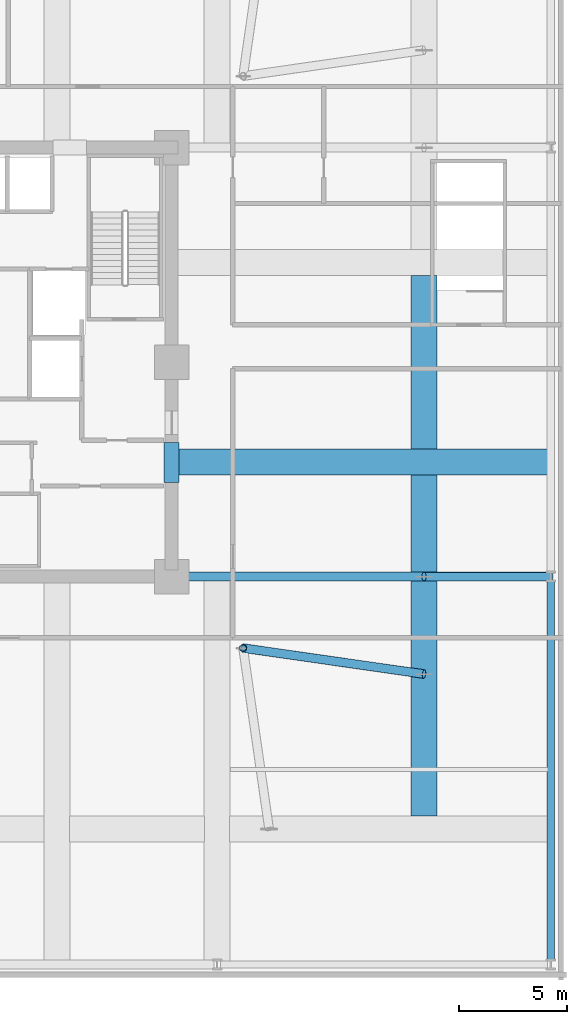
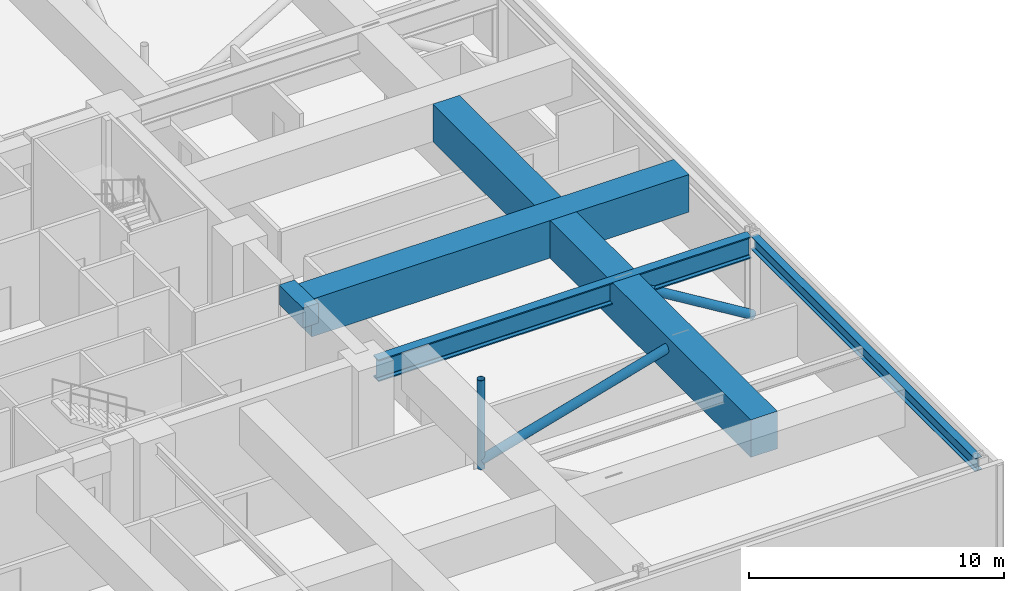
# One storey, part 4 of 16: 6 beams, 3 members.
"""IFC4 building model written with IfcOpenShell, lengths in metres."""

from ifc_helpers import new_model, si_unit, direction, frame, origin, origin_2d, place, context, subcontext, project, spatial, rectangle, hollow_circle, i_section, extrude, material, material_profile, profile_set, type_object, element, save


model = new_model("IFC4")

# Units and contexts
model_context = context("Model", 3, precision=1e-05, world=origin(), true_north=direction((0.0, 1.0)))
body_context = subcontext(model_context, "Body", "Model", "MODEL_VIEW")
ifc_project = project(units=[si_unit("LENGTHUNIT", "METRE"), si_unit("AREAUNIT", "SQUARE_METRE"), si_unit("VOLUMEUNIT", "CUBIC_METRE"), si_unit("PLANEANGLEUNIT", "RADIAN"), si_unit("MASSUNIT", "GRAM", prefix="KILO")], contexts=[model_context])

# Site, building, storey
site_placement = place(None, origin())
site = spatial("IfcSite", under=ifc_project, at=site_placement, CompositionType="ELEMENT")
building_placement = place(site_placement, origin())
building = spatial("IfcBuilding", under=site, at=building_placement, Name="Kolvaren Belvedere", CompositionType="ELEMENT")
storey_placement = place(building_placement, frame((0.0, 0.0, 19.300048828125)))
storey = spatial("IfcBuildingStorey", under=building, at=storey_placement, Name="L05", CompositionType="ELEMENT", Elevation=19.300048828125)

# Beams
ifc_material_1 = material(Name="Concrete C60/75", Category="concrete")
ifc_material_profile_1 = material_profile(ifc_material_1, rectangle(XDim=0.699951171875, YDim=0.949951171875, at=origin_2d()), Name="RC 700X950")
ifc_profile_set_1 = profile_set([ifc_material_profile_1], Name="Concrete C60/75")
beam_type_1 = type_object("IfcBeamType", Name="BM-LINT-950", PredefinedType="LINTEL", material=ifc_profile_set_1)
beam_1_placement = place(storey_placement, frame((9.89990234375, -5.550048828125, 3.784912109375), z_axis=(0.0, 1.0, 0.0), x_axis=(-1.0, 0.0, 0.0)))
element("IfcBeam", 1, at=beam_1_placement, inside=storey, type_object=beam_type_1, Name="L05 East Core Coupling Lintel", PredefinedType="LINTEL", context=body_context, shape_type="SweptSolid", body=[
    extrude(rectangle(XDim=0.699951171875, YDim=0.949951171875, at=origin_2d()), origin(), (0.0, 0.0, 1.0), 1.85009765625),
])
ifc_material_2 = material(Name="Structural steel ASTM A992 Grade 50", Category="steel")
ifc_material_profile_2 = material_profile(ifc_material_2, i_section(OverallWidth=0.324951171875, OverallDepth=0.615966796875, WebThickness=0.013916015625, FlangeThickness=0.021484375, FilletRadius=0.02001953125, at=origin_2d()), Name="W24X117")
ifc_profile_set_2 = profile_set([ifc_material_profile_2], Name="Structural steel ASTM A992 Grade 50")
beam_type_2 = type_object("IfcBeamType", Name="BM-SPAN-W24X117", PredefinedType="SPANDREL", material=ifc_profile_set_2)
beam_2_placement = place(storey_placement, frame((27.39990234375, -27.64990234375, 3.951904296875), z_axis=(0.0, 1.0, 0.0), x_axis=(-1.0, 0.0, 0.0)))
element("IfcBeam", 2, at=beam_2_placement, inside=storey, type_object=beam_type_2, Name="L05 E Podium Spandrel 1", PredefinedType="SPANDREL", context=body_context, shape_type="SweptSolid", body=[
    extrude(i_section(OverallWidth=0.324951171875, OverallDepth=0.615966796875, WebThickness=0.013916015625, FlangeThickness=0.021484375, FilletRadius=0.02001953125, at=origin_2d()), origin(), (0.0, 0.0, 1.0), 17.599853515625),
])
ifc_material_3 = material(Name="Concrete C50/60", Category="concrete")
ifc_material_profile_3 = material_profile(ifc_material_3, rectangle(XDim=1.199951171875, YDim=1.800048828125, at=origin_2d()), Name="RC 1200X1800")
ifc_profile_set_3 = profile_set([ifc_material_profile_3], Name="Concrete C50/60")
beam_type_3 = type_object("IfcBeamType", Name="BM-TG-1800", PredefinedType="BEAM", material=ifc_profile_set_3)
beam_3_placement = place(storey_placement, frame((10.14990234375, -4.60009765625, 3.35986328125), z_axis=(1.0, 0.0, 0.0), x_axis=(0.0, 1.0, 0.0)))
element("IfcBeam", 3, at=beam_3_placement, inside=storey, type_object=beam_type_3, Name="L05 East Primary Transfer Girder M46", PredefinedType="BEAM", context=body_context, shape_type="SweptSolid", body=[
    extrude(rectangle(XDim=1.199951171875, YDim=1.800048828125, at=origin_2d()), origin(), (0.0, 0.0, 1.0), 17.10009765625),
])
beam_4_placement = place(storey_placement, frame((21.550048828125, -20.949951171875, 3.35986328125), z_axis=(0.0, 1.0, 0.0), x_axis=(-1.0, 0.0, 0.0)))
element("IfcBeam", 4, at=beam_4_placement, inside=storey, type_object=beam_type_3, Name="L05 East Transfer Ring Girder S", PredefinedType="BEAM", context=body_context, shape_type="SweptSolid", body=[
    extrude(rectangle(XDim=1.199951171875, YDim=1.800048828125, at=origin_2d()), origin(), (0.0, 0.0, 1.0), 15.75),
])
beam_5_placement = place(storey_placement, frame((21.550048828125, -4.0, 3.35986328125), z_axis=(0.0, 1.0, 0.0), x_axis=(-1.0, 0.0, 0.0)))
element("IfcBeam", 5, at=beam_5_placement, inside=storey, type_object=beam_type_3, Name="L05 East Transfer Ring Girder C", PredefinedType="BEAM", context=body_context, shape_type="SweptSolid", body=[
    extrude(rectangle(XDim=1.199951171875, YDim=1.800048828125, at=origin_2d()), origin(), (0.0, 0.0, 1.0), 8.0),
])
ifc_material_4 = material(Name="Structural steel ASTM A992 Grade 50", Category="steel")
ifc_material_profile_4 = material_profile(ifc_material_4, i_section(OverallWidth=0.408935546875, OverallDepth=1.0400390625, WebThickness=0.031005859375, FlangeThickness=0.055908203125, FilletRadius=0.030029296875, at=origin_2d()), Name="W40X397")
ifc_profile_set_4 = profile_set([ifc_material_profile_4], Name="Structural steel ASTM A992 Grade 50")
beam_type_4 = type_object("IfcBeamType", Name="BM-TRUSS-W40X397", PredefinedType="BEAM", material=ifc_profile_set_4)
beam_6_placement = place(storey_placement, frame((10.35009765625, -9.89990234375, 3.739990234375), z_axis=(1.0, 0.0, 0.0), x_axis=(0.0, 1.0, 0.0)))
element("IfcBeam", 6, at=beam_6_placement, inside=storey, type_object=beam_type_4, Name="L05 East Interior Girder S", PredefinedType="BEAM", context=body_context, shape_type="SweptSolid", body=[
    extrude(i_section(OverallWidth=0.408935546875, OverallDepth=1.0400390625, WebThickness=0.031005859375, FlangeThickness=0.055908203125, FilletRadius=0.030029296875, at=origin_2d()), origin(), (0.0, 0.0, 1.0), 16.89990234375),
])

# Members
ifc_material_5 = material(Name="Structural steel ASTM A500 Grade C", Category="steel")
ifc_material_profile_5 = material_profile(ifc_material_5, hollow_circle(Radius=0.162109375, WallThickness=0.01171875, at=origin_2d()), Name="HSS12.750X0.500")
ifc_profile_set_5 = profile_set([ifc_material_profile_5], Name="Structural steel ASTM A500 Grade C")
member_type_1 = type_object("IfcMemberType", Name="MB-CAN-POST", PredefinedType="POST", material=ifc_profile_set_5)
member_1_placement = place(storey_placement, frame((13.199951171875, -13.199951171875, 0.0), z_axis=(0.0, 0.0, 1.0), x_axis=(1.0, 0.0, 0.0)))
element("IfcMember", 7, at=member_1_placement, inside=storey, type_object=member_type_1, Name="L05 Transfer Truss Portal Post TP-2", PredefinedType="POST", context=body_context, shape_type="SweptSolid", body=[
    extrude(hollow_circle(Radius=0.162109375, WallThickness=0.01171875, at=origin_2d()), origin(), (0.0, 0.0, 1.0), 4.260009765625),
])
ifc_material_6 = material(Name="Structural steel ASTM A500 Grade C", Category="steel")
ifc_material_profile_6 = material_profile(ifc_material_6, hollow_circle(Radius=0.202880859375, WallThickness=0.01171875, at=origin_2d()), Name="HSS16.000X0.500")
ifc_profile_set_6 = profile_set([ifc_material_profile_6], Name="Structural steel ASTM A500 Grade C")
member_type_2 = type_object("IfcMemberType", Name="MB-TRUSS-DIAG", PredefinedType="BRACE", material=ifc_profile_set_6)
member_2_placement = place(storey_placement, frame((13.199951171875, -13.199951171875, 0.349853515625), z_axis=(0.911949983885, -0.131051814829, 0.388809270365), x_axis=(0.142243803641, 0.989831652518, 0.0)))
element("IfcMember", 8, at=member_2_placement, inside=storey, type_object=member_type_2, Name="L05 Storey-Deep Transfer Truss Diagonal TD-2", PredefinedType="BRACE", context=body_context, shape_type="SweptSolid", body=[
    extrude(hollow_circle(Radius=0.202880859375, WallThickness=0.01171875, at=origin_2d()), origin(), (0.0, 0.0, 1.0), 9.15625),
])
member_3_placement = place(storey_placement, frame((27.39990234375, -9.89990234375, 0.349853515625), z_axis=(-0.854245366247, 0.0, 0.519870035918), x_axis=(0.0, -1.0, 0.0)))
element("IfcMember", 9, at=member_3_placement, inside=storey, type_object=member_type_2, Name="L05 Storey-Deep Transfer Truss Diagonal TD-10", PredefinedType="BRACE", context=body_context, shape_type="SweptSolid", body=[
    extrude(hollow_circle(Radius=0.202880859375, WallThickness=0.01171875, at=origin_2d()), origin(), (0.0, 0.0, 1.0), 6.847900390625),
])

save(model, "model.ifc")
